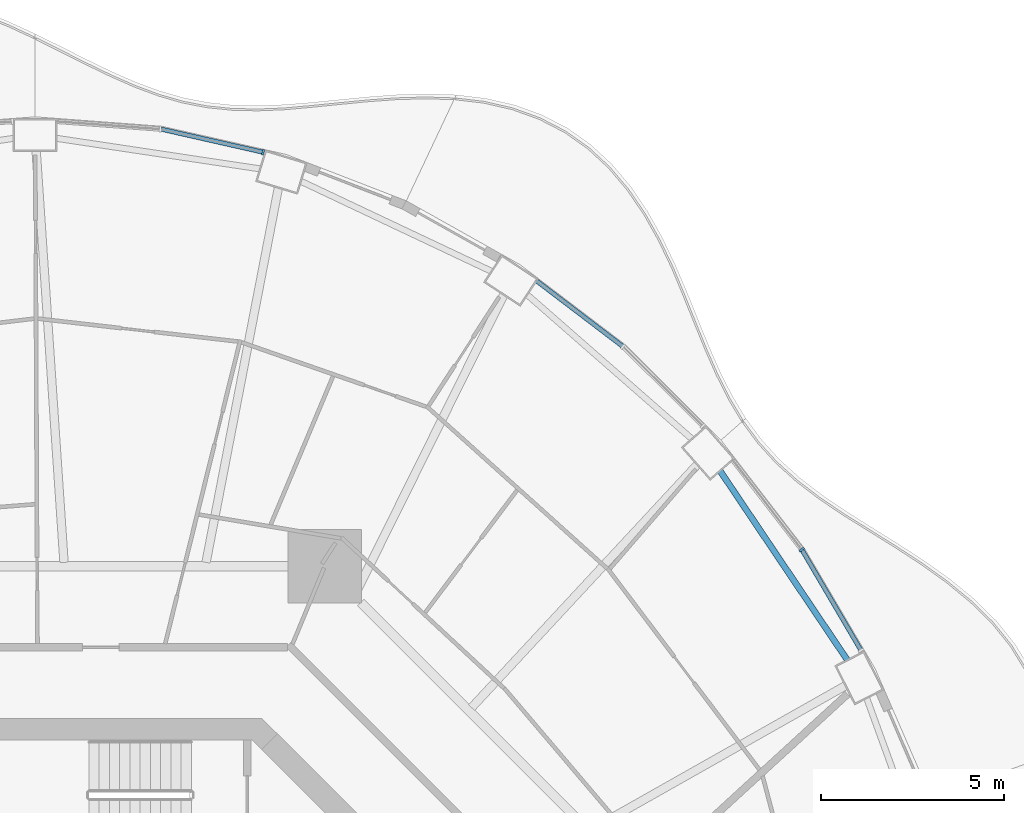
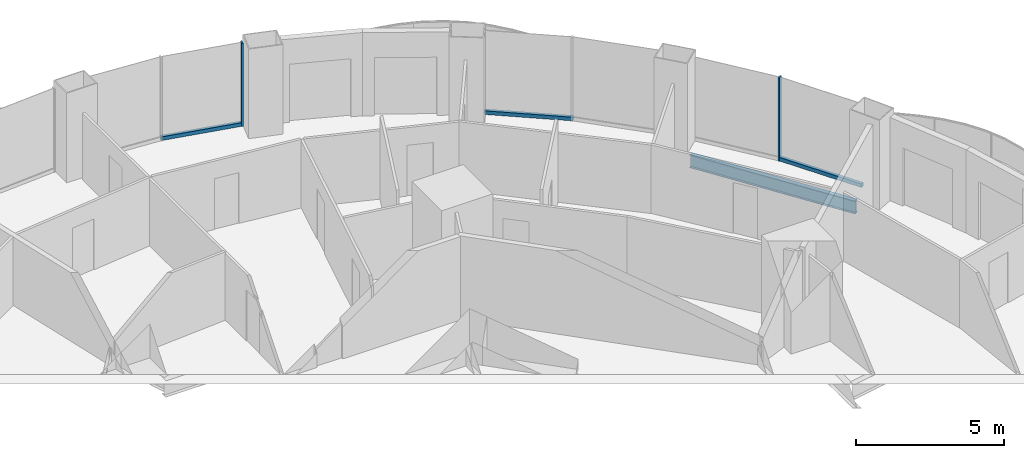
# One storey, part 9 of 20: 5 members, 1 beam, 4 elements without a shape of their own.
"""IFC4 building model written with IfcOpenShell, lengths in metres."""

from ifc_helpers import new_model, si_unit, direction, frame, origin, origin_2d, place, context, subcontext, project, spatial, rectangle, i_section, extrude, material, layer, layer_set, material_profile, profile_set, type_object, element, aggregate, save


model = new_model("IFC4")

# Units and contexts
model_context = context("Model", 3, precision=1e-05, world=origin(), true_north=direction((0.0, 1.0)))
body_context = subcontext(model_context, "Body", "Model", "MODEL_VIEW")
ifc_project = project(units=[si_unit("LENGTHUNIT", "METRE"), si_unit("AREAUNIT", "SQUARE_METRE"), si_unit("VOLUMEUNIT", "CUBIC_METRE"), si_unit("PLANEANGLEUNIT", "RADIAN"), si_unit("MASSUNIT", "GRAM", prefix="KILO")], contexts=[model_context])

# Site, building, storey
site_placement = place(None, origin())
site = spatial("IfcSite", under=ifc_project, at=site_placement, CompositionType="ELEMENT")
building_placement = place(site_placement, origin())
building = spatial("IfcBuilding", under=site, at=building_placement, Name="Nagisa Residences", CompositionType="ELEMENT")
storey_placement = place(building_placement, frame((0.0, 0.0, 130.699951171875)))
storey = spatial("IfcBuildingStorey", under=building, at=storey_placement, Name="L32", CompositionType="ELEMENT", Elevation=130.699951171875)

# Curtain wall, member
ifc_material_1 = material(Name="Concrete-coloured aluminium curtain wall system", Category="concrete")
ifc_layer = layer(ifc_material_1, 0.159912109375)
ifc_layer_set = layer_set([ifc_layer], Name="CW1 CURTAIN WALL")
curtain_wall_type = type_object("IfcCurtainWallType", Name="CW1 CURTAIN WALL", PredefinedType="NOTDEFINED", material=ifc_layer_set)
curtain_wall_1_placement = place(storey_placement, origin())
curtain_wall_1 = element("IfcCurtainWall", 1, at=curtain_wall_1_placement, inside=storey, type_object=curtain_wall_type, Name="cw:CW1:L32:05", PredefinedType="NOTDEFINED")
ifc_material_2 = material(Name="Concrete-coloured aluminium", Category="concrete")
ifc_material_profile_1 = material_profile(ifc_material_2, rectangle(XDim=0.159912109375, YDim=0.06005859375, at=origin_2d()), Name="CW1 MULLION 160x60")
ifc_profile_set_1 = profile_set([ifc_material_profile_1], Name="Concrete-coloured aluminium")
member_type_1 = type_object("IfcMemberType", Name="CW1 MULLION 160x60", PredefinedType="MULLION", material=ifc_profile_set_1)
member_1_placement = place(storey_placement, frame((19.169921875, 15.23876953125, 0.0), z_axis=(0.0, 0.0, 1.0), x_axis=(-0.792070340816, -0.610429828235, 0.0)))
member_1 = element("IfcMember", 2, at=member_1_placement, type_object=member_type_1, Name="CW1 mullion", PredefinedType="MULLION", context=body_context, shape_type="SweptSolid", body=[
    extrude(rectangle(XDim=0.159912109375, YDim=0.06005859375, at=origin_2d()), origin(), (0.0, 0.0, 1.0), 3.43994140625),
])
aggregate(curtain_wall_1, [member_1])

curtain_wall_2_placement = place(storey_placement, origin())
curtain_wall_2 = element("IfcCurtainWall", 3, at=curtain_wall_2_placement, inside=storey, type_object=curtain_wall_type, Name="cw:CW1:L32:10", PredefinedType="NOTDEFINED")
member_2_placement = place(storey_placement, frame((4.435546875, 26.109375, 0.0), z_axis=(0.0, 0.0, 1.0), x_axis=(-0.2207639201, -0.975327274089, 0.0)))
member_2 = element("IfcMember", 4, at=member_2_placement, type_object=member_type_1, Name="CW1 mullion", PredefinedType="MULLION", context=body_context, shape_type="SweptSolid", body=[
    extrude(rectangle(XDim=0.159912109375, YDim=0.06005859375, at=origin_2d()), origin(), (0.0, 0.0, 1.0), 3.43994140625),
])

curtain_wall_3_placement = place(storey_placement, origin())
curtain_wall_3 = element("IfcCurtainWall", 5, at=curtain_wall_3_placement, inside=storey, type_object=curtain_wall_type, Name="cw:CW1:L32:04", PredefinedType="NOTDEFINED")
ifc_material_3 = material(Name="Concrete-coloured aluminium", Category="concrete")
ifc_material_profile_2 = material_profile(ifc_material_3, rectangle(XDim=0.1201171875, YDim=0.14990234375, at=origin_2d()), Name="CW1 TRANSOM 120x150")
ifc_profile_set_2 = profile_set([ifc_material_profile_2], Name="Concrete-coloured aluminium")
member_type_2 = type_object("IfcMemberType", Name="CW1 TRANSOM 120x150", PredefinedType="USERDEFINED", material=ifc_profile_set_2)
member_3_placement = place(storey_placement, frame((20.80712890625, 12.456787109375, 0.074951171875), z_axis=(-0.506348207891, 0.86232910908, 0.0), x_axis=(-0.86232910908, -0.506348207891, 0.0)))
member_3 = element("IfcMember", 6, at=member_3_placement, type_object=member_type_2, Name="CW1 transom", ObjectType="TRANSOM", PredefinedType="USERDEFINED", context=body_context, shape_type="SweptSolid", body=[
    extrude(rectangle(XDim=0.1201171875, YDim=0.14990234375, at=origin_2d()), origin(), (0.0, 0.0, 1.0), 3.208251953125),
])
aggregate(curtain_wall_3, [member_3])

curtain_wall_4_placement = place(storey_placement, origin())
curtain_wall_4 = element("IfcCurtainWall", 7, at=curtain_wall_4_placement, inside=storey, type_object=curtain_wall_type, Name="cw:CW1:L32:07", PredefinedType="NOTDEFINED")
member_4_placement = place(storey_placement, frame((14.30517578125, 20.77392578125, 0.074951171875), z_axis=(-0.796022231079, 0.605267385233, 0.0), x_axis=(-0.605267385233, -0.796022231079, 0.0)))
member_4 = element("IfcMember", 8, at=member_4_placement, type_object=member_type_2, Name="CW1 transom", ObjectType="TRANSOM", PredefinedType="USERDEFINED", context=body_context, shape_type="SweptSolid", body=[
    extrude(rectangle(XDim=0.1201171875, YDim=0.14990234375, at=origin_2d()), origin(), (0.0, 0.0, 1.0), 3.025634765625),
])
aggregate(curtain_wall_4, [member_4])

# Member
member_5_placement = place(storey_placement, frame((4.46484375, 26.102783203125, 0.074951171875), z_axis=(-0.975320849653, 0.220792301117, 0.0), x_axis=(-0.220792301117, -0.975320849653, 0.0)))
member_5 = element("IfcMember", 9, at=member_5_placement, type_object=member_type_2, Name="CW1 transom", ObjectType="TRANSOM", PredefinedType="USERDEFINED", context=body_context, shape_type="SweptSolid", body=[
    extrude(rectangle(XDim=0.1201171875, YDim=0.14990234375, at=origin_2d()), origin(), (0.0, 0.0, 1.0), 2.890380859375),
])

aggregate(curtain_wall_2, [member_2, member_5])

# Beam
ifc_material_4 = material(Name="Steel ASTM A572 Gr 50", Category="steel")
ifc_material_profile_3 = material_profile(ifc_material_4, i_section(OverallWidth=0.166015625, OverallDepth=0.534912109375, WebThickness=0.01025390625, FlangeThickness=0.0166015625, at=origin_2d()), Name="W530x85")
ifc_profile_set_3 = profile_set([ifc_material_profile_3], Name="Steel ASTM A572 Gr 50")
beam_type = type_object("IfcBeamType", Name="Perimeter ring beam W530x85", PredefinedType="BEAM", material=ifc_profile_set_3)
beam_placement = place(storey_placement, frame((20.420654296875, 12.21484375, -0.52734375), z_axis=(-0.558187951157, 0.82971453596, 0.0), x_axis=(-0.82971453596, -0.558187951157, 0.0)))
element("IfcBeam", 10, at=beam_placement, inside=storey, type_object=beam_type, Name="beam:L32:pb03", PredefinedType="BEAM", context=body_context, shape_type="SweptSolid", body=[
    extrude(i_section(OverallWidth=0.166015625, OverallDepth=0.534912109375, WebThickness=0.01025390625, FlangeThickness=0.0166015625, at=origin_2d()), origin(), (0.0, 0.0, 1.0), 6.24267578125),
])

save(model, "model.ifc")
